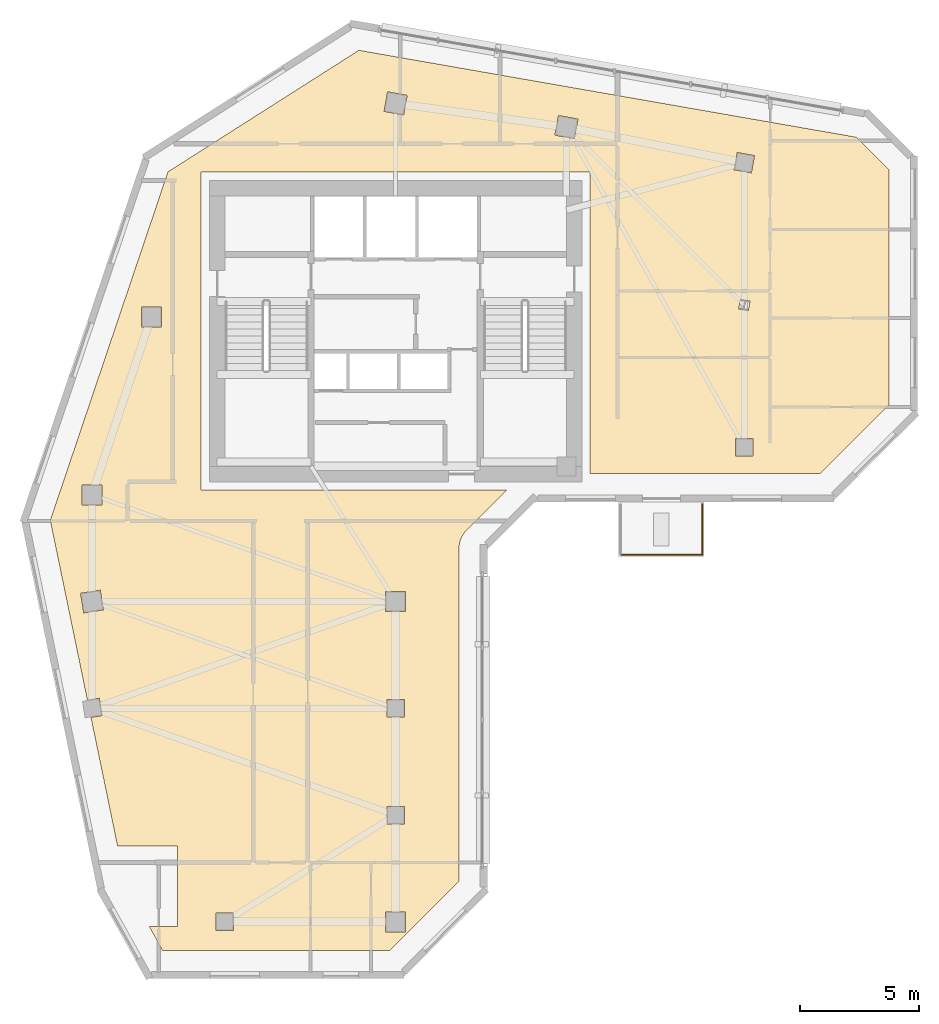
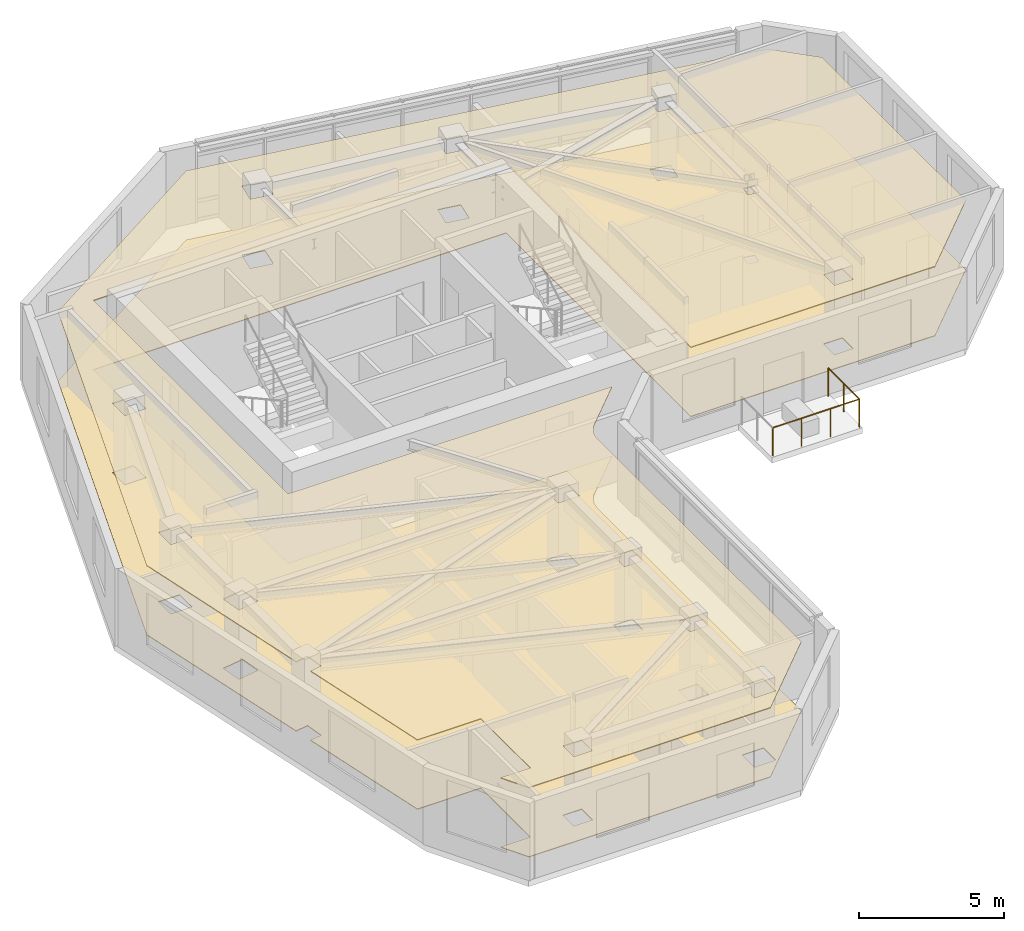
# One storey, part 8 of 9: 2 coverings, 2 railings.
"""IFC4 building model written with IfcOpenShell, lengths in metres."""

from ifc_helpers import new_model, si_unit, direction, frame, origin, origin_2d, place, context, subcontext, project, spatial, polyline, circle, outline, extrude, material, layer, layer_set, type_object, element, save


model = new_model("IFC4")

# Units and contexts
model_context = context("Model", 3, precision=1e-05, world=origin(), true_north=direction((0.0, 1.0)))
body_context = subcontext(model_context, "Body", "Model", "MODEL_VIEW")
ifc_project = project(units=[si_unit("LENGTHUNIT", "METRE"), si_unit("AREAUNIT", "SQUARE_METRE"), si_unit("VOLUMEUNIT", "CUBIC_METRE"), si_unit("PLANEANGLEUNIT", "RADIAN"), si_unit("MASSUNIT", "GRAM", prefix="KILO")], contexts=[model_context])

# Site, building, storey
site_placement = place(None, origin())
site = spatial("IfcSite", under=ifc_project, at=site_placement, CompositionType="ELEMENT")
building_placement = place(site_placement, origin())
building = spatial("IfcBuilding", under=site, at=building_placement, Name="Calvemar Wedge Station Tower", CompositionType="ELEMENT")
storey_placement = place(building_placement, frame((0.0, 0.0, 225.39990234375)))
storey = spatial("IfcBuildingStorey", under=building, at=storey_placement, Name="L57", CompositionType="ELEMENT", Elevation=225.39990234375)

# Coverings
ifc_material_1 = material(Name="Acoustic mineral fibre ceiling board")
ifc_layer_1 = layer(ifc_material_1, 0.0400390625)
ifc_layer_set_1 = layer_set([ifc_layer_1], Name="Acoustic mineral fibre ceiling board")
covering_type_1 = type_object("IfcCoveringType", Name="COV-CEIL-ACOUSTIC", PredefinedType="CEILING", material=ifc_layer_set_1)
covering_1_placement = place(storey_placement, frame((0.0, 0.0, 2.900146484375)))
element("IfcCovering", 1, at=covering_1_placement, inside=storey, type_object=covering_type_1, Name="Storey L57 Acoustic Suspended Ceiling", PredefinedType="CEILING", context=body_context, shape_type="SweptSolid", body=[
    extrude(outline(polyline([(26.666259765625, 31.358642578125), (26.736328125, 31.453369140625), (26.8154296875, 31.54052734375), (28.474853515625, 33.199951171875), (15.60009765625, 33.199951171875), (15.60009765625, 46.60009765625), (32.0, 46.60009765625), (32.0, 33.89208984375), (41.702880859375, 33.89208984375), (44.60009765625, 36.7890625), (44.60009765625, 46.69482421875), (43.2197265625, 48.0751953125), (22.251708984375, 51.73779296875), (14.201416015625, 46.614990234375), (9.240966796875, 31.92431640625), (10.806884765625, 24.34375), (11.306884765625, 24.423828125), (11.423828125, 23.693115234375), (10.956787109375, 23.618408203125), (12.076171875, 18.199951171875), (14.60009765625, 18.199951171875), (14.60009765625, 14.800048828125), (13.41455078125, 14.800048828125), (13.97021484375, 13.800048828125), (23.56689453125, 13.800048828125), (26.464111328125, 16.697021484375), (26.464111328125, 30.69189453125), (26.4697265625, 30.8095703125), (26.487060546875, 30.926025390625), (26.515625, 31.040283203125), (26.555419921875, 31.151123046875), (26.605712890625, 31.2578125), (26.666259765625, 31.358642578125)]), holes=[polyline([(11.419921875, 33.419921875), (11.419921875, 32.580078125), (10.580078125, 32.580078125), (10.580078125, 33.419921875), (11.419921875, 33.419921875)]), polyline([(13.919921875, 40.080078125), (13.080078125, 40.080078125), (13.080078125, 40.919921875), (13.919921875, 40.919921875), (13.919921875, 40.080078125)]), polyline([(23.312255859375, 49.160888671875), (23.4609375, 49.98779296875), (24.28759765625, 49.839111328125), (24.138916015625, 49.01220703125), (23.312255859375, 49.160888671875)]), polyline([(30.660888671875, 48.98779296875), (31.48779296875, 48.839111328125), (31.339111328125, 48.01220703125), (30.51220703125, 48.160888671875), (30.660888671875, 48.98779296875)]), polyline([(38.9296875, 47.298583984375), (38.798583984375, 46.5703125), (38.0703125, 46.701416015625), (38.201416015625, 47.4296875), (38.9296875, 47.298583984375)]), polyline([(38.8701171875, 34.6298828125), (38.1298828125, 34.6298828125), (38.1298828125, 35.3701171875), (38.8701171875, 35.3701171875), (38.8701171875, 34.6298828125)]), polyline([(38.259765625, 40.833984375), (38.332763671875, 41.239501953125), (38.740234375, 41.166015625), (38.667236328125, 40.760498046875), (38.259765625, 40.833984375)]), polyline([(11.348388671875, 28.981201171875), (11.481201171875, 28.151611328125), (10.651611328125, 28.018798828125), (10.518798828125, 28.848388671875), (11.348388671875, 28.981201171875)]), polyline([(24.219970703125, 28.080078125), (23.3798828125, 28.080078125), (23.3798828125, 28.919921875), (24.219970703125, 28.919921875), (24.219970703125, 28.080078125)]), polyline([(23.429931640625, 23.6298828125), (23.429931640625, 24.3701171875), (24.169921875, 24.3701171875), (24.169921875, 23.6298828125), (23.429931640625, 23.6298828125)]), polyline([(23.429931640625, 19.8701171875), (24.169921875, 19.8701171875), (24.169921875, 19.1298828125), (23.429931640625, 19.1298828125), (23.429931640625, 19.8701171875)]), polyline([(24.219970703125, 15.419921875), (24.219970703125, 14.580078125), (23.3798828125, 14.580078125), (23.3798828125, 15.419921875), (24.219970703125, 15.419921875)]), polyline([(16.969970703125, 14.6298828125), (16.22998046875, 14.6298828125), (16.22998046875, 15.3701171875), (16.969970703125, 15.3701171875), (16.969970703125, 14.6298828125)])]), origin(), (0.0, 0.0, 1.0), 0.0400390625),
])
ifc_material_2 = material(Name="Honed coastal granite stone tile", Category="masonry")
ifc_layer_2 = layer(ifc_material_2, 0.030029296875)
ifc_layer_set_2 = layer_set([ifc_layer_2], Name="Honed coastal granite stone tile")
covering_type_2 = type_object("IfcCoveringType", Name="COV-FLR-STONE", PredefinedType="FLOORING", material=ifc_layer_set_2)
covering_2_placement = place(storey_placement, origin())
element("IfcCovering", 2, at=covering_2_placement, inside=storey, type_object=covering_type_2, Name="Storey L57 Architectural Floor Finish", PredefinedType="FLOORING", context=body_context, shape_type="SweptSolid", body=[
    extrude(outline(polyline([(26.666259765625, 31.358642578125), (26.736328125, 31.453369140625), (26.8154296875, 31.54052734375), (28.474853515625, 33.199951171875), (15.60009765625, 33.199951171875), (15.60009765625, 46.60009765625), (32.0, 46.60009765625), (32.0, 33.89208984375), (41.702880859375, 33.89208984375), (44.60009765625, 36.7890625), (44.60009765625, 46.69482421875), (43.2197265625, 48.0751953125), (22.251708984375, 51.73779296875), (14.201416015625, 46.614990234375), (9.240966796875, 31.92431640625), (10.806884765625, 24.34375), (11.306884765625, 24.423828125), (11.423828125, 23.693115234375), (10.956787109375, 23.618408203125), (12.076171875, 18.199951171875), (14.60009765625, 18.199951171875), (14.60009765625, 14.800048828125), (13.41455078125, 14.800048828125), (13.97021484375, 13.800048828125), (23.56689453125, 13.800048828125), (26.464111328125, 16.697021484375), (26.464111328125, 30.69189453125), (26.4697265625, 30.8095703125), (26.487060546875, 30.926025390625), (26.515625, 31.040283203125), (26.555419921875, 31.151123046875), (26.605712890625, 31.2578125), (26.666259765625, 31.358642578125)]), holes=[polyline([(11.419921875, 33.419921875), (11.419921875, 32.580078125), (10.580078125, 32.580078125), (10.580078125, 33.419921875), (11.419921875, 33.419921875)]), polyline([(13.919921875, 40.080078125), (13.080078125, 40.080078125), (13.080078125, 40.919921875), (13.919921875, 40.919921875), (13.919921875, 40.080078125)]), polyline([(23.312255859375, 49.160888671875), (23.4609375, 49.98779296875), (24.28759765625, 49.839111328125), (24.138916015625, 49.01220703125), (23.312255859375, 49.160888671875)]), polyline([(30.660888671875, 48.98779296875), (31.48779296875, 48.839111328125), (31.339111328125, 48.01220703125), (30.51220703125, 48.160888671875), (30.660888671875, 48.98779296875)]), polyline([(38.9296875, 47.298583984375), (38.798583984375, 46.5703125), (38.0703125, 46.701416015625), (38.201416015625, 47.4296875), (38.9296875, 47.298583984375)]), polyline([(38.8701171875, 34.6298828125), (38.1298828125, 34.6298828125), (38.1298828125, 35.3701171875), (38.8701171875, 35.3701171875), (38.8701171875, 34.6298828125)]), polyline([(38.259765625, 40.833984375), (38.332763671875, 41.239501953125), (38.740234375, 41.166015625), (38.667236328125, 40.760498046875), (38.259765625, 40.833984375)]), polyline([(11.348388671875, 28.981201171875), (11.481201171875, 28.151611328125), (10.651611328125, 28.018798828125), (10.518798828125, 28.848388671875), (11.348388671875, 28.981201171875)]), polyline([(24.219970703125, 28.080078125), (23.3798828125, 28.080078125), (23.3798828125, 28.919921875), (24.219970703125, 28.919921875), (24.219970703125, 28.080078125)]), polyline([(23.429931640625, 23.6298828125), (23.429931640625, 24.3701171875), (24.169921875, 24.3701171875), (24.169921875, 23.6298828125), (23.429931640625, 23.6298828125)]), polyline([(23.429931640625, 19.8701171875), (24.169921875, 19.8701171875), (24.169921875, 19.1298828125), (23.429931640625, 19.1298828125), (23.429931640625, 19.8701171875)]), polyline([(24.219970703125, 15.419921875), (24.219970703125, 14.580078125), (23.3798828125, 14.580078125), (23.3798828125, 15.419921875), (24.219970703125, 15.419921875)]), polyline([(16.969970703125, 14.6298828125), (16.22998046875, 14.6298828125), (16.22998046875, 15.3701171875), (16.969970703125, 15.3701171875), (16.969970703125, 14.6298828125)])]), origin(), (0.0, 0.0, 1.0), 0.030029296875),
])

# Railings
ifc_material_3 = material(Name="Stainless steel AISI 316L", Category="steel")
railing_type = type_object("IfcRailingType", Name="GRD-TERR-1200", PredefinedType="GUARDRAIL", material=ifc_material_3)
railing_1_placement = place(storey_placement, frame((36.719970703125, 32.612060546875, 0.0)))
element("IfcRailing", 3, at=railing_1_placement, inside=storey, type_object=railing_type, Name="Storey L57 Spiral Terrace Guard 2", PredefinedType="GUARDRAIL", context=body_context, shape_type="SweptSolid", body=[
    extrude(circle(Radius=0.02392578125, at=origin_2d()), frame((0.0, 0.0, 1.17578125), z_axis=(0.0, -1.0, 0.0), x_axis=(1.0, 0.0, 0.0)), (0.0, 0.0, 1.0), 2.14013671875),
    extrude(circle(Radius=0.02099609375, at=origin_2d()), origin(), (0.0, 0.0, 1.0), 1.15185546875),
    extrude(circle(Radius=0.02099609375, at=origin_2d()), frame((0.0, -1.070068359375, 0.0)), (0.0, 0.0, 1.0), 1.15185546875),
    extrude(circle(Radius=0.02099609375, at=origin_2d()), frame((0.0, -2.14013671875, 0.0)), (0.0, 0.0, 1.0), 1.15185546875),
])
railing_2_placement = place(storey_placement, frame((36.719970703125, 30.471923828125, 0.0)))
element("IfcRailing", 4, at=railing_2_placement, inside=storey, type_object=railing_type, Name="Storey L57 Spiral Terrace Guard 3", PredefinedType="GUARDRAIL", context=body_context, shape_type="SweptSolid", body=[
    extrude(circle(Radius=0.02392578125, at=origin_2d()), frame((0.0, 0.0, 1.17578125), z_axis=(-1.0, 0.0, 0.0), x_axis=(0.0, -1.0, 0.0)), (0.0, 0.0, 1.0), 3.43994140625),
    extrude(circle(Radius=0.02099609375, at=origin_2d()), origin(), (0.0, 0.0, 1.0), 1.15185546875),
    extrude(circle(Radius=0.02099609375, at=origin_2d()), frame((-1.146728515625, 0.0, 0.0)), (0.0, 0.0, 1.0), 1.15185546875),
    extrude(circle(Radius=0.02099609375, at=origin_2d()), frame((-2.293212890625, 0.0, 0.0)), (0.0, 0.0, 1.0), 1.15185546875),
    extrude(circle(Radius=0.02099609375, at=origin_2d()), frame((-3.43994140625, 0.0, 0.0)), (0.0, 0.0, 1.0), 1.15185546875),
])

save(model, "model.ifc")
